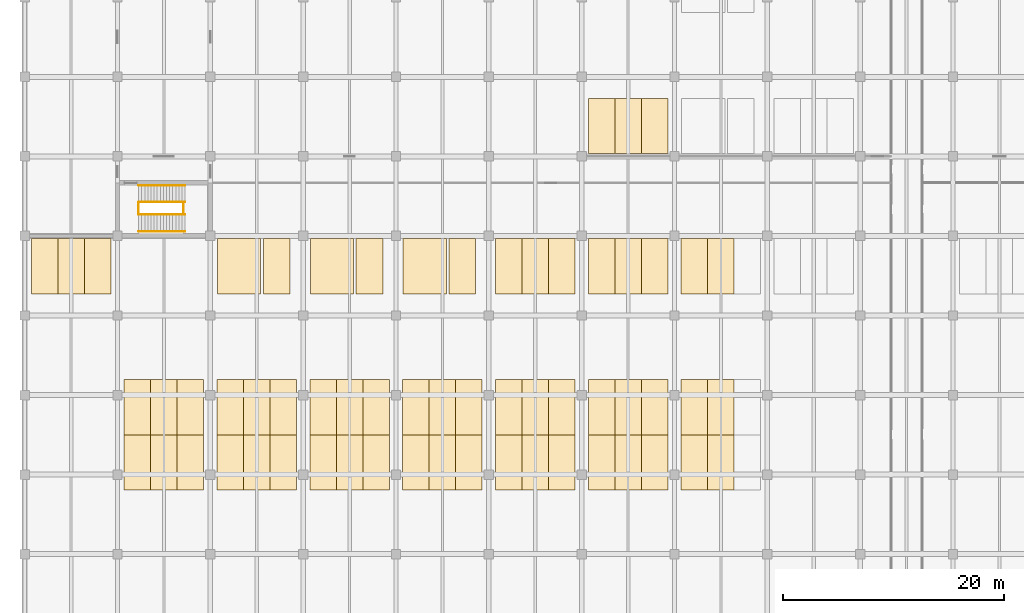
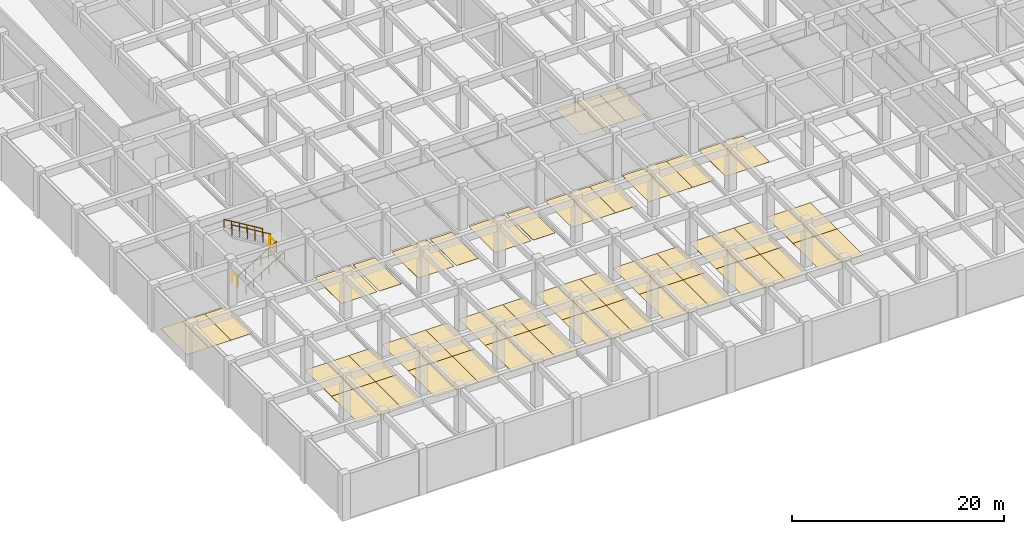
# One storey, part 41 of 48: 60 coverings, 6 railings.
"""IFC4 building model written with IfcOpenShell, lengths in metres."""

from ifc_helpers import new_model, si_unit, direction, frame, origin, origin_2d, place, context, subcontext, project, spatial, polyline, circle, outline, extrude, material, layer, layer_set, type_object, element, save


model = new_model("IFC4")

# Units and contexts
model_context = context("Model", 3, precision=1e-05, world=origin(), true_north=direction((0.0, 1.0)))
body_context = subcontext(model_context, "Body", "Model", "MODEL_VIEW")
ifc_project = project(units=[si_unit("LENGTHUNIT", "METRE"), si_unit("AREAUNIT", "SQUARE_METRE"), si_unit("VOLUMEUNIT", "CUBIC_METRE"), si_unit("PLANEANGLEUNIT", "RADIAN"), si_unit("MASSUNIT", "GRAM", prefix="KILO")], contexts=[model_context])

# Site, building, storey
site_placement = place(None, origin())
site = spatial("IfcSite", under=ifc_project, at=site_placement, CompositionType="ELEMENT")
building_placement = place(site_placement, origin())
building = spatial("IfcBuilding", under=site, at=building_placement, Name="Chengyuan Square Courthouse", CompositionType="ELEMENT")
storey_placement = place(building_placement, frame((0.0, 0.0, -5.39990234375)))
storey = spatial("IfcBuildingStorey", under=building, at=storey_placement, Name="B01", CompositionType="ELEMENT", Elevation=-5.39990234375)

# Coverings
ifc_material_1 = material(Name="Thermoplastic Parking Bay Marking Paint")
ifc_layer_1 = layer(ifc_material_1, 0.010009765625)
ifc_layer_set_1 = layer_set([ifc_layer_1], Name="Thermoplastic Parking Bay Marking Paint")
covering_type_1 = type_object("IfcCoveringType", Name="PKB-01", PredefinedType="FLOORING", material=ifc_layer_set_1)
covering_1_placement = place(storey_placement, origin())
element("IfcCovering", 1, at=covering_1_placement, inside=storey, type_object=covering_type_1, Name="Parking Bay Marking B01-P001", PredefinedType="FLOORING", context=body_context, shape_type="SweptSolid", body=[
    extrude(outline(polyline([(0.60009765625, 30.75), (3.0, 30.75), (3.0, 35.75), (0.60009765625, 35.75), (0.60009765625, 30.75)])), origin(), (0.0, 0.0, 1.0), 0.010009765625),
])
covering_2_placement = place(storey_placement, origin())
element("IfcCovering", 2, at=covering_2_placement, inside=storey, type_object=covering_type_1, Name="Parking Bay Marking B01-P002", PredefinedType="FLOORING", context=body_context, shape_type="SweptSolid", body=[
    extrude(outline(polyline([(3.0, 30.75), (5.39990234375, 30.75), (5.39990234375, 35.75), (3.0, 35.75), (3.0, 30.75)])), origin(), (0.0, 0.0, 1.0), 0.010009765625),
])
covering_3_placement = place(storey_placement, origin())
element("IfcCovering", 3, at=covering_3_placement, inside=storey, type_object=covering_type_1, Name="Parking Bay Marking B01-P003", PredefinedType="FLOORING", context=body_context, shape_type="SweptSolid", body=[
    extrude(outline(polyline([(5.39990234375, 30.75), (7.800048828125, 30.75), (7.800048828125, 35.75), (5.39990234375, 35.75), (5.39990234375, 30.75)])), origin(), (0.0, 0.0, 1.0), 0.010009765625),
])
covering_4_placement = place(storey_placement, origin())
element("IfcCovering", 4, at=covering_4_placement, inside=storey, type_object=covering_type_1, Name="Parking Bay Marking B01-P004", PredefinedType="FLOORING", context=body_context, shape_type="SweptSolid", body=[
    extrude(outline(polyline([(21.60009765625, 30.75), (24.0, 30.75), (24.0, 35.75), (21.60009765625, 35.75), (21.60009765625, 30.75)])), origin(), (0.0, 0.0, 1.0), 0.010009765625),
])
covering_5_placement = place(storey_placement, origin())
element("IfcCovering", 5, at=covering_5_placement, inside=storey, type_object=covering_type_1, Name="Parking Bay Marking B01-P005", PredefinedType="FLOORING", context=body_context, shape_type="SweptSolid", body=[
    extrude(outline(polyline([(30.0, 30.75), (32.39990234375, 30.75), (32.39990234375, 35.75), (30.0, 35.75), (30.0, 30.75)])), origin(), (0.0, 0.0, 1.0), 0.010009765625),
])
covering_6_placement = place(storey_placement, origin())
element("IfcCovering", 6, at=covering_6_placement, inside=storey, type_object=covering_type_1, Name="Parking Bay Marking B01-P006", PredefinedType="FLOORING", context=body_context, shape_type="SweptSolid", body=[
    extrude(outline(polyline([(38.39990234375, 30.75), (40.800048828125, 30.75), (40.800048828125, 35.75), (38.39990234375, 35.75), (38.39990234375, 30.75)])), origin(), (0.0, 0.0, 1.0), 0.010009765625),
])
covering_7_placement = place(storey_placement, origin())
element("IfcCovering", 7, at=covering_7_placement, inside=storey, type_object=covering_type_1, Name="Parking Bay Marking B01-P007", PredefinedType="FLOORING", context=body_context, shape_type="SweptSolid", body=[
    extrude(outline(polyline([(42.60009765625, 30.75), (45.0, 30.75), (45.0, 35.75), (42.60009765625, 35.75), (42.60009765625, 30.75)])), origin(), (0.0, 0.0, 1.0), 0.010009765625),
])
covering_8_placement = place(storey_placement, origin())
element("IfcCovering", 8, at=covering_8_placement, inside=storey, type_object=covering_type_1, Name="Parking Bay Marking B01-P008", PredefinedType="FLOORING", context=body_context, shape_type="SweptSolid", body=[
    extrude(outline(polyline([(45.0, 30.75), (47.39990234375, 30.75), (47.39990234375, 35.75), (45.0, 35.75), (45.0, 30.75)])), origin(), (0.0, 0.0, 1.0), 0.010009765625),
])
covering_9_placement = place(storey_placement, origin())
element("IfcCovering", 9, at=covering_9_placement, inside=storey, type_object=covering_type_1, Name="Parking Bay Marking B01-P009", PredefinedType="FLOORING", context=body_context, shape_type="SweptSolid", body=[
    extrude(outline(polyline([(47.39990234375, 30.75), (49.800048828125, 30.75), (49.800048828125, 35.75), (47.39990234375, 35.75), (47.39990234375, 30.75)])), origin(), (0.0, 0.0, 1.0), 0.010009765625),
])
covering_10_placement = place(storey_placement, origin())
element("IfcCovering", 10, at=covering_10_placement, inside=storey, type_object=covering_type_1, Name="Parking Bay Marking B01-P010", PredefinedType="FLOORING", context=body_context, shape_type="SweptSolid", body=[
    extrude(outline(polyline([(51.0, 30.75), (53.39990234375, 30.75), (53.39990234375, 35.75), (51.0, 35.75), (51.0, 30.75)])), origin(), (0.0, 0.0, 1.0), 0.010009765625),
])
covering_11_placement = place(storey_placement, origin())
element("IfcCovering", 11, at=covering_11_placement, inside=storey, type_object=covering_type_1, Name="Parking Bay Marking B01-P011", PredefinedType="FLOORING", context=body_context, shape_type="SweptSolid", body=[
    extrude(outline(polyline([(53.39990234375, 30.75), (55.800048828125, 30.75), (55.800048828125, 35.75), (53.39990234375, 35.75), (53.39990234375, 30.75)])), origin(), (0.0, 0.0, 1.0), 0.010009765625),
])
covering_12_placement = place(storey_placement, origin())
element("IfcCovering", 12, at=covering_12_placement, inside=storey, type_object=covering_type_1, Name="Parking Bay Marking B01-P012", PredefinedType="FLOORING", context=body_context, shape_type="SweptSolid", body=[
    extrude(outline(polyline([(55.800048828125, 30.75), (58.199951171875, 30.75), (58.199951171875, 35.75), (55.800048828125, 35.75), (55.800048828125, 30.75)])), origin(), (0.0, 0.0, 1.0), 0.010009765625),
])
covering_13_placement = place(storey_placement, origin())
element("IfcCovering", 13, at=covering_13_placement, inside=storey, type_object=covering_type_1, Name="Parking Bay Marking B01-P013", PredefinedType="FLOORING", context=body_context, shape_type="SweptSolid", body=[
    extrude(outline(polyline([(59.39990234375, 30.75), (61.800048828125, 30.75), (61.800048828125, 35.75), (59.39990234375, 35.75), (59.39990234375, 30.75)])), origin(), (0.0, 0.0, 1.0), 0.010009765625),
])
covering_14_placement = place(storey_placement, origin())
element("IfcCovering", 14, at=covering_14_placement, inside=storey, type_object=covering_type_1, Name="Parking Bay Marking B01-P014", PredefinedType="FLOORING", context=body_context, shape_type="SweptSolid", body=[
    extrude(outline(polyline([(61.800048828125, 30.75), (64.199951171875, 30.75), (64.199951171875, 35.75), (61.800048828125, 35.75), (61.800048828125, 30.75)])), origin(), (0.0, 0.0, 1.0), 0.010009765625),
])
covering_15_placement = place(storey_placement, origin())
element("IfcCovering", 15, at=covering_15_placement, inside=storey, type_object=covering_type_1, Name="Parking Bay Marking B01-P019", PredefinedType="FLOORING", context=body_context, shape_type="SweptSolid", body=[
    extrude(outline(polyline([(9.0, 18.0), (11.39990234375, 18.0), (11.39990234375, 23.0), (9.0, 23.0), (9.0, 18.0)])), origin(), (0.0, 0.0, 1.0), 0.010009765625),
])
covering_16_placement = place(storey_placement, origin())
element("IfcCovering", 16, at=covering_16_placement, inside=storey, type_object=covering_type_1, Name="Parking Bay Marking B01-P020", PredefinedType="FLOORING", context=body_context, shape_type="SweptSolid", body=[
    extrude(outline(polyline([(11.39990234375, 18.0), (13.800048828125, 18.0), (13.800048828125, 23.0), (11.39990234375, 23.0), (11.39990234375, 18.0)])), origin(), (0.0, 0.0, 1.0), 0.010009765625),
])
covering_17_placement = place(storey_placement, origin())
element("IfcCovering", 17, at=covering_17_placement, inside=storey, type_object=covering_type_1, Name="Parking Bay Marking B01-P021", PredefinedType="FLOORING", context=body_context, shape_type="SweptSolid", body=[
    extrude(outline(polyline([(13.800048828125, 18.0), (16.199951171875, 18.0), (16.199951171875, 23.0), (13.800048828125, 23.0), (13.800048828125, 18.0)])), origin(), (0.0, 0.0, 1.0), 0.010009765625),
])
covering_18_placement = place(storey_placement, origin())
element("IfcCovering", 18, at=covering_18_placement, inside=storey, type_object=covering_type_1, Name="Parking Bay Marking B01-P022", PredefinedType="FLOORING", context=body_context, shape_type="SweptSolid", body=[
    extrude(outline(polyline([(17.39990234375, 18.0), (19.800048828125, 18.0), (19.800048828125, 23.0), (17.39990234375, 23.0), (17.39990234375, 18.0)])), origin(), (0.0, 0.0, 1.0), 0.010009765625),
])
covering_19_placement = place(storey_placement, origin())
element("IfcCovering", 19, at=covering_19_placement, inside=storey, type_object=covering_type_1, Name="Parking Bay Marking B01-P023", PredefinedType="FLOORING", context=body_context, shape_type="SweptSolid", body=[
    extrude(outline(polyline([(19.800048828125, 18.0), (22.199951171875, 18.0), (22.199951171875, 23.0), (19.800048828125, 23.0), (19.800048828125, 18.0)])), origin(), (0.0, 0.0, 1.0), 0.010009765625),
])
covering_20_placement = place(storey_placement, origin())
element("IfcCovering", 20, at=covering_20_placement, inside=storey, type_object=covering_type_1, Name="Parking Bay Marking B01-P024", PredefinedType="FLOORING", context=body_context, shape_type="SweptSolid", body=[
    extrude(outline(polyline([(22.199951171875, 18.0), (24.60009765625, 18.0), (24.60009765625, 23.0), (22.199951171875, 23.0), (22.199951171875, 18.0)])), origin(), (0.0, 0.0, 1.0), 0.010009765625),
])
covering_21_placement = place(storey_placement, origin())
element("IfcCovering", 21, at=covering_21_placement, inside=storey, type_object=covering_type_1, Name="Parking Bay Marking B01-P025", PredefinedType="FLOORING", context=body_context, shape_type="SweptSolid", body=[
    extrude(outline(polyline([(25.800048828125, 18.0), (28.199951171875, 18.0), (28.199951171875, 23.0), (25.800048828125, 23.0), (25.800048828125, 18.0)])), origin(), (0.0, 0.0, 1.0), 0.010009765625),
])
covering_22_placement = place(storey_placement, origin())
element("IfcCovering", 22, at=covering_22_placement, inside=storey, type_object=covering_type_1, Name="Parking Bay Marking B01-P026", PredefinedType="FLOORING", context=body_context, shape_type="SweptSolid", body=[
    extrude(outline(polyline([(28.199951171875, 18.0), (30.60009765625, 18.0), (30.60009765625, 23.0), (28.199951171875, 23.0), (28.199951171875, 18.0)])), origin(), (0.0, 0.0, 1.0), 0.010009765625),
])
covering_23_placement = place(storey_placement, origin())
element("IfcCovering", 23, at=covering_23_placement, inside=storey, type_object=covering_type_1, Name="Parking Bay Marking B01-P027", PredefinedType="FLOORING", context=body_context, shape_type="SweptSolid", body=[
    extrude(outline(polyline([(30.60009765625, 18.0), (33.0, 18.0), (33.0, 23.0), (30.60009765625, 23.0), (30.60009765625, 18.0)])), origin(), (0.0, 0.0, 1.0), 0.010009765625),
])
covering_24_placement = place(storey_placement, origin())
element("IfcCovering", 24, at=covering_24_placement, inside=storey, type_object=covering_type_1, Name="Parking Bay Marking B01-P028", PredefinedType="FLOORING", context=body_context, shape_type="SweptSolid", body=[
    extrude(outline(polyline([(34.199951171875, 18.0), (36.60009765625, 18.0), (36.60009765625, 23.0), (34.199951171875, 23.0), (34.199951171875, 18.0)])), origin(), (0.0, 0.0, 1.0), 0.010009765625),
])
covering_25_placement = place(storey_placement, origin())
element("IfcCovering", 25, at=covering_25_placement, inside=storey, type_object=covering_type_1, Name="Parking Bay Marking B01-P029", PredefinedType="FLOORING", context=body_context, shape_type="SweptSolid", body=[
    extrude(outline(polyline([(36.60009765625, 18.0), (39.0, 18.0), (39.0, 23.0), (36.60009765625, 23.0), (36.60009765625, 18.0)])), origin(), (0.0, 0.0, 1.0), 0.010009765625),
])
covering_26_placement = place(storey_placement, origin())
element("IfcCovering", 26, at=covering_26_placement, inside=storey, type_object=covering_type_1, Name="Parking Bay Marking B01-P030", PredefinedType="FLOORING", context=body_context, shape_type="SweptSolid", body=[
    extrude(outline(polyline([(39.0, 18.0), (41.39990234375, 18.0), (41.39990234375, 23.0), (39.0, 23.0), (39.0, 18.0)])), origin(), (0.0, 0.0, 1.0), 0.010009765625),
])
covering_27_placement = place(storey_placement, origin())
element("IfcCovering", 27, at=covering_27_placement, inside=storey, type_object=covering_type_1, Name="Parking Bay Marking B01-P031", PredefinedType="FLOORING", context=body_context, shape_type="SweptSolid", body=[
    extrude(outline(polyline([(42.60009765625, 18.0), (45.0, 18.0), (45.0, 23.0), (42.60009765625, 23.0), (42.60009765625, 18.0)])), origin(), (0.0, 0.0, 1.0), 0.010009765625),
])
covering_28_placement = place(storey_placement, origin())
element("IfcCovering", 28, at=covering_28_placement, inside=storey, type_object=covering_type_1, Name="Parking Bay Marking B01-P032", PredefinedType="FLOORING", context=body_context, shape_type="SweptSolid", body=[
    extrude(outline(polyline([(45.0, 18.0), (47.39990234375, 18.0), (47.39990234375, 23.0), (45.0, 23.0), (45.0, 18.0)])), origin(), (0.0, 0.0, 1.0), 0.010009765625),
])
covering_29_placement = place(storey_placement, origin())
element("IfcCovering", 29, at=covering_29_placement, inside=storey, type_object=covering_type_1, Name="Parking Bay Marking B01-P033", PredefinedType="FLOORING", context=body_context, shape_type="SweptSolid", body=[
    extrude(outline(polyline([(47.39990234375, 18.0), (49.800048828125, 18.0), (49.800048828125, 23.0), (47.39990234375, 23.0), (47.39990234375, 18.0)])), origin(), (0.0, 0.0, 1.0), 0.010009765625),
])
covering_30_placement = place(storey_placement, origin())
element("IfcCovering", 30, at=covering_30_placement, inside=storey, type_object=covering_type_1, Name="Parking Bay Marking B01-P034", PredefinedType="FLOORING", context=body_context, shape_type="SweptSolid", body=[
    extrude(outline(polyline([(51.0, 18.0), (53.39990234375, 18.0), (53.39990234375, 23.0), (51.0, 23.0), (51.0, 18.0)])), origin(), (0.0, 0.0, 1.0), 0.010009765625),
])
covering_31_placement = place(storey_placement, origin())
element("IfcCovering", 31, at=covering_31_placement, inside=storey, type_object=covering_type_1, Name="Parking Bay Marking B01-P035", PredefinedType="FLOORING", context=body_context, shape_type="SweptSolid", body=[
    extrude(outline(polyline([(53.39990234375, 18.0), (55.800048828125, 18.0), (55.800048828125, 23.0), (53.39990234375, 23.0), (53.39990234375, 18.0)])), origin(), (0.0, 0.0, 1.0), 0.010009765625),
])
covering_32_placement = place(storey_placement, origin())
element("IfcCovering", 32, at=covering_32_placement, inside=storey, type_object=covering_type_1, Name="Parking Bay Marking B01-P036", PredefinedType="FLOORING", context=body_context, shape_type="SweptSolid", body=[
    extrude(outline(polyline([(55.800048828125, 18.0), (58.199951171875, 18.0), (58.199951171875, 23.0), (55.800048828125, 23.0), (55.800048828125, 18.0)])), origin(), (0.0, 0.0, 1.0), 0.010009765625),
])
covering_33_placement = place(storey_placement, origin())
element("IfcCovering", 33, at=covering_33_placement, inside=storey, type_object=covering_type_1, Name="Parking Bay Marking B01-P037", PredefinedType="FLOORING", context=body_context, shape_type="SweptSolid", body=[
    extrude(outline(polyline([(59.39990234375, 18.0), (61.800048828125, 18.0), (61.800048828125, 23.0), (59.39990234375, 23.0), (59.39990234375, 18.0)])), origin(), (0.0, 0.0, 1.0), 0.010009765625),
])
covering_34_placement = place(storey_placement, origin())
element("IfcCovering", 34, at=covering_34_placement, inside=storey, type_object=covering_type_1, Name="Parking Bay Marking B01-P038", PredefinedType="FLOORING", context=body_context, shape_type="SweptSolid", body=[
    extrude(outline(polyline([(61.800048828125, 18.0), (64.199951171875, 18.0), (64.199951171875, 23.0), (61.800048828125, 23.0), (61.800048828125, 18.0)])), origin(), (0.0, 0.0, 1.0), 0.010009765625),
])
covering_35_placement = place(storey_placement, origin())
element("IfcCovering", 35, at=covering_35_placement, inside=storey, type_object=covering_type_1, Name="Parking Bay Marking B01-P040", PredefinedType="FLOORING", context=body_context, shape_type="SweptSolid", body=[
    extrude(outline(polyline([(9.0, 13.0), (11.39990234375, 13.0), (11.39990234375, 18.0), (9.0, 18.0), (9.0, 13.0)])), origin(), (0.0, 0.0, 1.0), 0.010009765625),
])
covering_36_placement = place(storey_placement, origin())
element("IfcCovering", 36, at=covering_36_placement, inside=storey, type_object=covering_type_1, Name="Parking Bay Marking B01-P041", PredefinedType="FLOORING", context=body_context, shape_type="SweptSolid", body=[
    extrude(outline(polyline([(11.39990234375, 13.0), (13.800048828125, 13.0), (13.800048828125, 18.0), (11.39990234375, 18.0), (11.39990234375, 13.0)])), origin(), (0.0, 0.0, 1.0), 0.010009765625),
])
covering_37_placement = place(storey_placement, origin())
element("IfcCovering", 37, at=covering_37_placement, inside=storey, type_object=covering_type_1, Name="Parking Bay Marking B01-P042", PredefinedType="FLOORING", context=body_context, shape_type="SweptSolid", body=[
    extrude(outline(polyline([(13.800048828125, 13.0), (16.199951171875, 13.0), (16.199951171875, 18.0), (13.800048828125, 18.0), (13.800048828125, 13.0)])), origin(), (0.0, 0.0, 1.0), 0.010009765625),
])
covering_38_placement = place(storey_placement, origin())
element("IfcCovering", 38, at=covering_38_placement, inside=storey, type_object=covering_type_1, Name="Parking Bay Marking B01-P043", PredefinedType="FLOORING", context=body_context, shape_type="SweptSolid", body=[
    extrude(outline(polyline([(17.39990234375, 13.0), (19.800048828125, 13.0), (19.800048828125, 18.0), (17.39990234375, 18.0), (17.39990234375, 13.0)])), origin(), (0.0, 0.0, 1.0), 0.010009765625),
])
covering_39_placement = place(storey_placement, origin())
element("IfcCovering", 39, at=covering_39_placement, inside=storey, type_object=covering_type_1, Name="Parking Bay Marking B01-P044", PredefinedType="FLOORING", context=body_context, shape_type="SweptSolid", body=[
    extrude(outline(polyline([(19.800048828125, 13.0), (22.199951171875, 13.0), (22.199951171875, 18.0), (19.800048828125, 18.0), (19.800048828125, 13.0)])), origin(), (0.0, 0.0, 1.0), 0.010009765625),
])
covering_40_placement = place(storey_placement, origin())
element("IfcCovering", 40, at=covering_40_placement, inside=storey, type_object=covering_type_1, Name="Parking Bay Marking B01-P045", PredefinedType="FLOORING", context=body_context, shape_type="SweptSolid", body=[
    extrude(outline(polyline([(22.199951171875, 13.0), (24.60009765625, 13.0), (24.60009765625, 18.0), (22.199951171875, 18.0), (22.199951171875, 13.0)])), origin(), (0.0, 0.0, 1.0), 0.010009765625),
])
covering_41_placement = place(storey_placement, origin())
element("IfcCovering", 41, at=covering_41_placement, inside=storey, type_object=covering_type_1, Name="Parking Bay Marking B01-P046", PredefinedType="FLOORING", context=body_context, shape_type="SweptSolid", body=[
    extrude(outline(polyline([(25.800048828125, 13.0), (28.199951171875, 13.0), (28.199951171875, 18.0), (25.800048828125, 18.0), (25.800048828125, 13.0)])), origin(), (0.0, 0.0, 1.0), 0.010009765625),
])
covering_42_placement = place(storey_placement, origin())
element("IfcCovering", 42, at=covering_42_placement, inside=storey, type_object=covering_type_1, Name="Parking Bay Marking B01-P047", PredefinedType="FLOORING", context=body_context, shape_type="SweptSolid", body=[
    extrude(outline(polyline([(28.199951171875, 13.0), (30.60009765625, 13.0), (30.60009765625, 18.0), (28.199951171875, 18.0), (28.199951171875, 13.0)])), origin(), (0.0, 0.0, 1.0), 0.010009765625),
])
covering_43_placement = place(storey_placement, origin())
element("IfcCovering", 43, at=covering_43_placement, inside=storey, type_object=covering_type_1, Name="Parking Bay Marking B01-P048", PredefinedType="FLOORING", context=body_context, shape_type="SweptSolid", body=[
    extrude(outline(polyline([(30.60009765625, 13.0), (33.0, 13.0), (33.0, 18.0), (30.60009765625, 18.0), (30.60009765625, 13.0)])), origin(), (0.0, 0.0, 1.0), 0.010009765625),
])
covering_44_placement = place(storey_placement, origin())
element("IfcCovering", 44, at=covering_44_placement, inside=storey, type_object=covering_type_1, Name="Parking Bay Marking B01-P049", PredefinedType="FLOORING", context=body_context, shape_type="SweptSolid", body=[
    extrude(outline(polyline([(34.199951171875, 13.0), (36.60009765625, 13.0), (36.60009765625, 18.0), (34.199951171875, 18.0), (34.199951171875, 13.0)])), origin(), (0.0, 0.0, 1.0), 0.010009765625),
])
covering_45_placement = place(storey_placement, origin())
element("IfcCovering", 45, at=covering_45_placement, inside=storey, type_object=covering_type_1, Name="Parking Bay Marking B01-P050", PredefinedType="FLOORING", context=body_context, shape_type="SweptSolid", body=[
    extrude(outline(polyline([(36.60009765625, 13.0), (39.0, 13.0), (39.0, 18.0), (36.60009765625, 18.0), (36.60009765625, 13.0)])), origin(), (0.0, 0.0, 1.0), 0.010009765625),
])
covering_46_placement = place(storey_placement, origin())
element("IfcCovering", 46, at=covering_46_placement, inside=storey, type_object=covering_type_1, Name="Parking Bay Marking B01-P051", PredefinedType="FLOORING", context=body_context, shape_type="SweptSolid", body=[
    extrude(outline(polyline([(39.0, 13.0), (41.39990234375, 13.0), (41.39990234375, 18.0), (39.0, 18.0), (39.0, 13.0)])), origin(), (0.0, 0.0, 1.0), 0.010009765625),
])
covering_47_placement = place(storey_placement, origin())
element("IfcCovering", 47, at=covering_47_placement, inside=storey, type_object=covering_type_1, Name="Parking Bay Marking B01-P052", PredefinedType="FLOORING", context=body_context, shape_type="SweptSolid", body=[
    extrude(outline(polyline([(42.60009765625, 13.0), (45.0, 13.0), (45.0, 18.0), (42.60009765625, 18.0), (42.60009765625, 13.0)])), origin(), (0.0, 0.0, 1.0), 0.010009765625),
])
covering_48_placement = place(storey_placement, origin())
element("IfcCovering", 48, at=covering_48_placement, inside=storey, type_object=covering_type_1, Name="Parking Bay Marking B01-P053", PredefinedType="FLOORING", context=body_context, shape_type="SweptSolid", body=[
    extrude(outline(polyline([(45.0, 13.0), (47.39990234375, 13.0), (47.39990234375, 18.0), (45.0, 18.0), (45.0, 13.0)])), origin(), (0.0, 0.0, 1.0), 0.010009765625),
])
covering_49_placement = place(storey_placement, origin())
element("IfcCovering", 49, at=covering_49_placement, inside=storey, type_object=covering_type_1, Name="Parking Bay Marking B01-P054", PredefinedType="FLOORING", context=body_context, shape_type="SweptSolid", body=[
    extrude(outline(polyline([(47.39990234375, 13.0), (49.800048828125, 13.0), (49.800048828125, 18.0), (47.39990234375, 18.0), (47.39990234375, 13.0)])), origin(), (0.0, 0.0, 1.0), 0.010009765625),
])
covering_50_placement = place(storey_placement, origin())
element("IfcCovering", 50, at=covering_50_placement, inside=storey, type_object=covering_type_1, Name="Parking Bay Marking B01-P055", PredefinedType="FLOORING", context=body_context, shape_type="SweptSolid", body=[
    extrude(outline(polyline([(51.0, 13.0), (53.39990234375, 13.0), (53.39990234375, 18.0), (51.0, 18.0), (51.0, 13.0)])), origin(), (0.0, 0.0, 1.0), 0.010009765625),
])
covering_51_placement = place(storey_placement, origin())
element("IfcCovering", 51, at=covering_51_placement, inside=storey, type_object=covering_type_1, Name="Parking Bay Marking B01-P056", PredefinedType="FLOORING", context=body_context, shape_type="SweptSolid", body=[
    extrude(outline(polyline([(53.39990234375, 13.0), (55.800048828125, 13.0), (55.800048828125, 18.0), (53.39990234375, 18.0), (53.39990234375, 13.0)])), origin(), (0.0, 0.0, 1.0), 0.010009765625),
])
covering_52_placement = place(storey_placement, origin())
element("IfcCovering", 52, at=covering_52_placement, inside=storey, type_object=covering_type_1, Name="Parking Bay Marking B01-P057", PredefinedType="FLOORING", context=body_context, shape_type="SweptSolid", body=[
    extrude(outline(polyline([(55.800048828125, 13.0), (58.199951171875, 13.0), (58.199951171875, 18.0), (55.800048828125, 18.0), (55.800048828125, 13.0)])), origin(), (0.0, 0.0, 1.0), 0.010009765625),
])
covering_53_placement = place(storey_placement, origin())
element("IfcCovering", 53, at=covering_53_placement, inside=storey, type_object=covering_type_1, Name="Parking Bay Marking B01-P058", PredefinedType="FLOORING", context=body_context, shape_type="SweptSolid", body=[
    extrude(outline(polyline([(59.39990234375, 13.0), (61.800048828125, 13.0), (61.800048828125, 18.0), (59.39990234375, 18.0), (59.39990234375, 13.0)])), origin(), (0.0, 0.0, 1.0), 0.010009765625),
])
covering_54_placement = place(storey_placement, origin())
element("IfcCovering", 54, at=covering_54_placement, inside=storey, type_object=covering_type_1, Name="Parking Bay Marking B01-P059", PredefinedType="FLOORING", context=body_context, shape_type="SweptSolid", body=[
    extrude(outline(polyline([(61.800048828125, 13.0), (64.199951171875, 13.0), (64.199951171875, 18.0), (61.800048828125, 18.0), (61.800048828125, 13.0)])), origin(), (0.0, 0.0, 1.0), 0.010009765625),
])
covering_55_placement = place(storey_placement, origin())
element("IfcCovering", 55, at=covering_55_placement, inside=storey, type_object=covering_type_1, Name="Parking Bay Marking B01-P130", PredefinedType="FLOORING", context=body_context, shape_type="SweptSolid", body=[
    extrude(outline(polyline([(51.0, 43.449951171875), (53.39990234375, 43.449951171875), (53.39990234375, 48.449951171875), (51.0, 48.449951171875), (51.0, 43.449951171875)])), origin(), (0.0, 0.0, 1.0), 0.010009765625),
])
covering_56_placement = place(storey_placement, origin())
element("IfcCovering", 56, at=covering_56_placement, inside=storey, type_object=covering_type_1, Name="Parking Bay Marking B01-P131", PredefinedType="FLOORING", context=body_context, shape_type="SweptSolid", body=[
    extrude(outline(polyline([(53.39990234375, 43.449951171875), (55.800048828125, 43.449951171875), (55.800048828125, 48.449951171875), (53.39990234375, 48.449951171875), (53.39990234375, 43.449951171875)])), origin(), (0.0, 0.0, 1.0), 0.010009765625),
])
covering_57_placement = place(storey_placement, origin())
element("IfcCovering", 57, at=covering_57_placement, inside=storey, type_object=covering_type_1, Name="Parking Bay Marking B01-P132", PredefinedType="FLOORING", context=body_context, shape_type="SweptSolid", body=[
    extrude(outline(polyline([(55.800048828125, 43.449951171875), (58.199951171875, 43.449951171875), (58.199951171875, 48.449951171875), (55.800048828125, 48.449951171875), (55.800048828125, 43.449951171875)])), origin(), (0.0, 0.0, 1.0), 0.010009765625),
])
ifc_material_2 = material(Name="Thermoplastic Accessible Parking Bay Marking Paint")
ifc_layer_2 = layer(ifc_material_2, 0.010009765625)
ifc_layer_set_2 = layer_set([ifc_layer_2], Name="Thermoplastic Accessible Parking Bay Marking Paint")
covering_type_2 = type_object("IfcCoveringType", Name="PKB-02", PredefinedType="FLOORING", material=ifc_layer_set_2)
covering_58_placement = place(storey_placement, origin())
element("IfcCovering", 58, at=covering_58_placement, inside=storey, type_object=covering_type_2, Name="Accessible Parking Bay Marking B01-AP01", PredefinedType="FLOORING", context=body_context, shape_type="SweptSolid", body=[
    extrude(outline(polyline([(17.449951171875, 30.75), (21.35009765625, 30.75), (21.35009765625, 35.75), (17.449951171875, 35.75), (17.449951171875, 30.75)])), origin(), (0.0, 0.0, 1.0), 0.010009765625),
])
covering_59_placement = place(storey_placement, origin())
element("IfcCovering", 59, at=covering_59_placement, inside=storey, type_object=covering_type_2, Name="Accessible Parking Bay Marking B01-AP02", PredefinedType="FLOORING", context=body_context, shape_type="SweptSolid", body=[
    extrude(outline(polyline([(25.85009765625, 30.75), (29.75, 30.75), (29.75, 35.75), (25.85009765625, 35.75), (25.85009765625, 30.75)])), origin(), (0.0, 0.0, 1.0), 0.010009765625),
])
covering_60_placement = place(storey_placement, origin())
element("IfcCovering", 60, at=covering_60_placement, inside=storey, type_object=covering_type_2, Name="Accessible Parking Bay Marking B01-AP03", PredefinedType="FLOORING", context=body_context, shape_type="SweptSolid", body=[
    extrude(outline(polyline([(34.25, 30.75), (38.14990234375, 30.75), (38.14990234375, 35.75), (34.25, 35.75), (34.25, 30.75)])), origin(), (0.0, 0.0, 1.0), 0.010009765625),
])

# Railings
ifc_material_3 = material(Name="Tempered Glass and Timber Top-Rail Balustrade", Category="wood")
railing_type_1 = type_object("IfcRailingType", Name="RL-02", PredefinedType="BALUSTRADE", material=ifc_material_3)
for number, where, name in (
    (61, (10.2900390625, 38.0, 0.0), "Stair Floor Slot Guard ST-7 B01"),
    (62, (14.389892578125, 38.0, 2.699951171875), "Stair Landing Guard ST-7-B01"),
):
    element("IfcRailing", number, at=place(storey_placement, frame(where)), inside=storey, type_object=railing_type_1, Name=name, PredefinedType="BALUSTRADE", context=body_context, shape_type="SweptSolid", body=[
        extrude(circle(Radius=0.02392578125, at=origin_2d()), frame((0.0, 0.0, 1.17578125), z_axis=(0.0, 1.0, 0.0), x_axis=(-1.0, 0.0, 0.0)), (0.0, 0.0, 1.0), 1.0),
        extrude(circle(Radius=0.02099609375, at=origin_2d()), origin(), (0.0, 0.0, 1.0), 1.15185546875),
        extrude(circle(Radius=0.02099609375, at=origin_2d()), frame((0.0, 1.0, 0.0)), (0.0, 0.0, 1.0), 1.15185546875),
    ])
railing_1_placement = place(storey_placement, frame((10.31005859375, 37.949951171875, 0.168701171875)))
element("IfcRailing", 63, at=railing_1_placement, inside=storey, type_object=railing_type_1, Name="Stair Flight 1 Guard ST-7-B01", PredefinedType="BALUSTRADE", context=body_context, shape_type="SweptSolid", body=[
    extrude(circle(Radius=0.02392578125, at=origin_2d()), frame((0.0, 0.0, 1.17578125), z_axis=(0.856476492594, 0.0, 0.516186030065), x_axis=(0.0, 1.0, 0.0)), (0.0, 0.0, 1.0), 4.90380859375),
    extrude(circle(Radius=0.02099609375, at=origin_2d()), origin(), (0.0, 0.0, 1.0), 1.15185546875),
    extrude(circle(Radius=0.02099609375, at=origin_2d()), frame((0.840087890625, 0.0, 0.50634765625)), (0.0, 0.0, 1.0), 1.15185546875),
    extrude(circle(Radius=0.02099609375, at=origin_2d()), frame((1.679931640625, 0.0, 1.012451171875)), (0.0, 0.0, 1.0), 1.15185546875),
    extrude(circle(Radius=0.02099609375, at=origin_2d()), frame((2.52001953125, 0.0, 1.518798828125)), (0.0, 0.0, 1.0), 1.15185546875),
    extrude(circle(Radius=0.02099609375, at=origin_2d()), frame((3.35986328125, 0.0, 2.02490234375)), (0.0, 0.0, 1.0), 1.15185546875),
    extrude(circle(Radius=0.02099609375, at=origin_2d()), frame((4.199951171875, 0.0, 2.53125)), (0.0, 0.0, 1.0), 1.15185546875),
])
railing_2_placement = place(storey_placement, frame((14.510009765625, 39.050048828125, 2.86865234375)))
element("IfcRailing", 64, at=railing_2_placement, inside=storey, type_object=railing_type_1, Name="Stair Flight 2 Guard ST-7-B01", PredefinedType="BALUSTRADE", context=body_context, shape_type="SweptSolid", body=[
    extrude(circle(Radius=0.02392578125, at=origin_2d()), frame((0.0, 0.0, 1.17578125), z_axis=(-0.856476492594, 0.0, 0.516186030065), x_axis=(0.0, -1.0, 0.0)), (0.0, 0.0, 1.0), 4.90380859375),
    extrude(circle(Radius=0.02099609375, at=origin_2d()), origin(), (0.0, 0.0, 1.0), 1.15185546875),
    extrude(circle(Radius=0.02099609375, at=origin_2d()), frame((-0.840087890625, 0.0, 0.50634765625)), (0.0, 0.0, 1.0), 1.15185546875),
    extrude(circle(Radius=0.02099609375, at=origin_2d()), frame((-1.679931640625, 0.0, 1.012451171875)), (0.0, 0.0, 1.0), 1.15185546875),
    extrude(circle(Radius=0.02099609375, at=origin_2d()), frame((-2.52001953125, 0.0, 1.518798828125)), (0.0, 0.0, 1.0), 1.15185546875),
    extrude(circle(Radius=0.02099609375, at=origin_2d()), frame((-3.35986328125, 0.0, 2.02490234375)), (0.0, 0.0, 1.0), 1.15185546875),
    extrude(circle(Radius=0.02099609375, at=origin_2d()), frame((-4.199951171875, 0.0, 2.53125)), (0.0, 0.0, 1.0), 1.15185546875),
])
ifc_material_4 = material(Name="Stainless Steel S30408 Stair Handrail", Category="steel")
railing_type_2 = type_object("IfcRailingType", Name="RL-04", PredefinedType="HANDRAIL", material=ifc_material_4)
railing_3_placement = place(storey_placement, frame((10.31005859375, 36.419921875, 0.168701171875)))
element("IfcRailing", 65, at=railing_3_placement, inside=storey, type_object=railing_type_2, Name="Stair Flight 1 Handrail ST-7-B01", PredefinedType="HANDRAIL", context=body_context, shape_type="SweptSolid", body=[
    extrude(circle(Radius=0.02392578125, at=origin_2d()), frame((0.0, 0.0, 0.8759765625), z_axis=(0.856476492594, 0.0, 0.516186030065), x_axis=(0.0, 1.0, 0.0)), (0.0, 0.0, 1.0), 4.90380859375),
    extrude(circle(Radius=0.02099609375, at=origin_2d()), origin(), (0.0, 0.0, 1.0), 0.851806640625),
    extrude(circle(Radius=0.02099609375, at=origin_2d()), frame((0.840087890625, 0.0, 0.50634765625)), (0.0, 0.0, 1.0), 0.851806640625),
    extrude(circle(Radius=0.02099609375, at=origin_2d()), frame((1.679931640625, 0.0, 1.012451171875)), (0.0, 0.0, 1.0), 0.851806640625),
    extrude(circle(Radius=0.02099609375, at=origin_2d()), frame((2.52001953125, 0.0, 1.518798828125)), (0.0, 0.0, 1.0), 0.851806640625),
    extrude(circle(Radius=0.02099609375, at=origin_2d()), frame((3.35986328125, 0.0, 2.02490234375)), (0.0, 0.0, 1.0), 0.851806640625),
    extrude(circle(Radius=0.02099609375, at=origin_2d()), frame((4.199951171875, 0.0, 2.53125)), (0.0, 0.0, 1.0), 0.851806640625),
])
railing_4_placement = place(storey_placement, frame((14.510009765625, 40.580078125, 2.86865234375)))
element("IfcRailing", 66, at=railing_4_placement, inside=storey, type_object=railing_type_2, Name="Stair Flight 2 Handrail ST-7-B01", PredefinedType="HANDRAIL", context=body_context, shape_type="SweptSolid", body=[
    extrude(circle(Radius=0.02392578125, at=origin_2d()), frame((0.0, 0.0, 0.8759765625), z_axis=(-0.856476492594, 0.0, 0.516186030065), x_axis=(0.0, -1.0, 0.0)), (0.0, 0.0, 1.0), 4.90380859375),
    extrude(circle(Radius=0.02099609375, at=origin_2d()), origin(), (0.0, 0.0, 1.0), 0.851806640625),
    extrude(circle(Radius=0.02099609375, at=origin_2d()), frame((-0.840087890625, 0.0, 0.50634765625)), (0.0, 0.0, 1.0), 0.851806640625),
    extrude(circle(Radius=0.02099609375, at=origin_2d()), frame((-1.679931640625, 0.0, 1.012451171875)), (0.0, 0.0, 1.0), 0.851806640625),
    extrude(circle(Radius=0.02099609375, at=origin_2d()), frame((-2.52001953125, 0.0, 1.518798828125)), (0.0, 0.0, 1.0), 0.851806640625),
    extrude(circle(Radius=0.02099609375, at=origin_2d()), frame((-3.35986328125, 0.0, 2.02490234375)), (0.0, 0.0, 1.0), 0.851806640625),
    extrude(circle(Radius=0.02099609375, at=origin_2d()), frame((-4.199951171875, 0.0, 2.53125)), (0.0, 0.0, 1.0), 0.851806640625),
])

save(model, "model.ifc")
